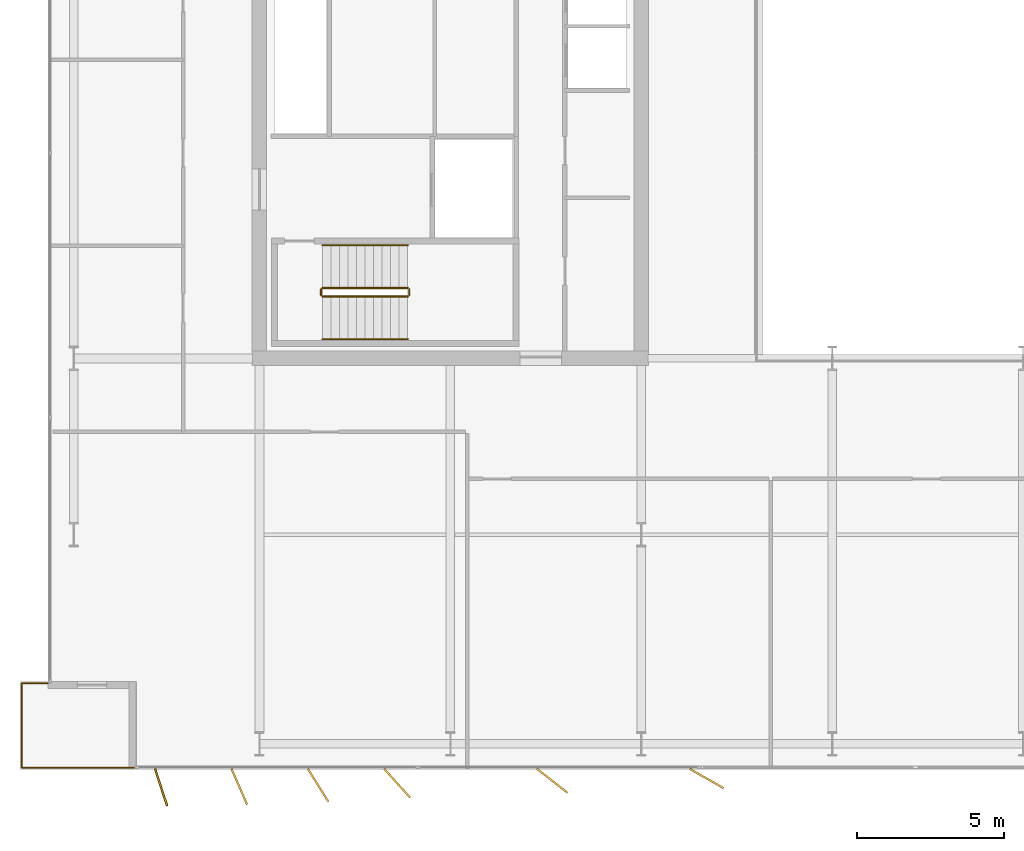
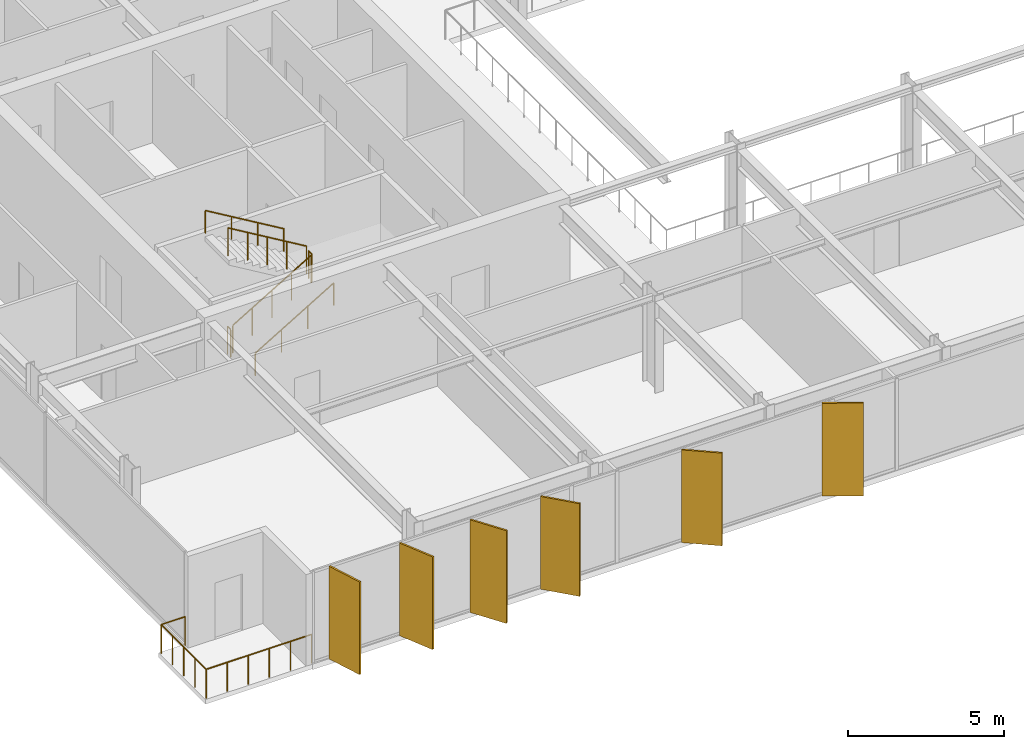
# One storey, part 20 of 23: 7 railings, 6 shading devices.
"""IFC4 building model written with IfcOpenShell, lengths in metres."""

from ifc_helpers import new_model, si_unit, direction, frame, origin, origin_2d, place, context, subcontext, project, spatial, rectangle, circle, extrude, material, layer, layer_set, type_object, element, save


model = new_model("IFC4")

# Units and contexts
model_context = context("Model", 3, precision=1e-05, world=origin(), true_north=direction((0.0, 1.0)))
body_context = subcontext(model_context, "Body", "Model", "MODEL_VIEW")
ifc_project = project(units=[si_unit("LENGTHUNIT", "METRE"), si_unit("AREAUNIT", "SQUARE_METRE"), si_unit("VOLUMEUNIT", "CUBIC_METRE"), si_unit("PLANEANGLEUNIT", "RADIAN"), si_unit("MASSUNIT", "GRAM", prefix="KILO")], contexts=[model_context])

# Site, building, storey
site_placement = place(None, origin())
site = spatial("IfcSite", under=ifc_project, at=site_placement, CompositionType="ELEMENT")
building_placement = place(site_placement, origin())
building = spatial("IfcBuilding", under=site, at=building_placement, Name="Putna Gate Headquarters", CompositionType="ELEMENT")
storey_placement = place(building_placement, frame((0.0, 0.0, 232.800048828125)))
storey = spatial("IfcBuildingStorey", under=building, at=storey_placement, Name="L58", CompositionType="ELEMENT", Elevation=232.800048828125)

# Railings
ifc_material_1 = material(Name="Powder-coated steel stair guardrail", Category="steel")
railing_type_1 = type_object("IfcRailingType", Name="RAIL-STAIR-GUARD-1100", PredefinedType="GUARDRAIL", material=ifc_material_1)
railing_1_placement = place(storey_placement, frame((15.14990234375, 21.10009765625, 0.172607421875)))
element("IfcRailing", 1, at=railing_1_placement, inside=storey, type_object=railing_type_1, Name="L58 ST1 stair guard 1", PredefinedType="GUARDRAIL", context=body_context, shape_type="SweptSolid", body=[
    extrude(circle(Radius=0.02392578125, at=origin_2d()), frame((0.0, 0.0, 1.076171875), z_axis=(0.859160404282, 0.0, 0.51170636083), x_axis=(0.0, 1.0, 0.0)), (0.0, 0.0, 1.0), 3.37548828125),
    extrude(circle(Radius=0.02099609375, at=origin_2d()), origin(), (0.0, 0.0, 1.0), 1.052001953125),
    extrude(circle(Radius=0.02099609375, at=origin_2d()), frame((0.72509765625, 0.0, 0.431884765625)), (0.0, 0.0, 1.0), 1.052001953125),
    extrude(circle(Radius=0.02099609375, at=origin_2d()), frame((1.4501953125, 0.0, 0.86376953125)), (0.0, 0.0, 1.0), 1.052001953125),
    extrude(circle(Radius=0.02099609375, at=origin_2d()), frame((2.175048828125, 0.0, 1.29541015625)), (0.0, 0.0, 1.0), 1.052001953125),
    extrude(circle(Radius=0.02099609375, at=origin_2d()), frame((2.900146484375, 0.0, 1.727294921875)), (0.0, 0.0, 1.0), 1.052001953125),
])
railing_2_placement = place(storey_placement, frame((18.10009765625, 21.14990234375, 1.89990234375)))
element("IfcRailing", 2, at=railing_2_placement, inside=storey, type_object=railing_type_1, Name="L58 ST1 stair guard 2", PredefinedType="GUARDRAIL", context=body_context, shape_type="SweptSolid", body=[
    extrude(circle(Radius=0.02392578125, at=origin_2d()), frame((0.0, 0.0, 1.076171875), z_axis=(0.0, 1.0, 0.0), x_axis=(-1.0, 0.0, 0.0)), (0.0, 0.0, 1.0), 0.2001953125),
    extrude(circle(Radius=0.02099609375, at=origin_2d()), origin(), (0.0, 0.0, 1.0), 1.052001953125),
    extrude(circle(Radius=0.02099609375, at=origin_2d()), frame((0.0, 0.2001953125, 0.0)), (0.0, 0.0, 1.0), 1.052001953125),
])
railing_3_placement = place(storey_placement, frame((18.050048828125, 21.39990234375, 2.07275390625)))
element("IfcRailing", 3, at=railing_3_placement, inside=storey, type_object=railing_type_1, Name="L58 ST1 stair guard 3", PredefinedType="GUARDRAIL", context=body_context, shape_type="SweptSolid", body=[
    extrude(circle(Radius=0.02392578125, at=origin_2d()), frame((0.0, 0.0, 1.076171875), z_axis=(-0.859160404282, 0.0, 0.51170636083), x_axis=(0.0, -1.0, 0.0)), (0.0, 0.0, 1.0), 3.37548828125),
    extrude(circle(Radius=0.02099609375, at=origin_2d()), origin(), (0.0, 0.0, 1.0), 1.052001953125),
    extrude(circle(Radius=0.02099609375, at=origin_2d()), frame((-0.72509765625, 0.0, 0.431884765625)), (0.0, 0.0, 1.0), 1.052001953125),
    extrude(circle(Radius=0.02099609375, at=origin_2d()), frame((-1.4501953125, 0.0, 0.86376953125)), (0.0, 0.0, 1.0), 1.052001953125),
    extrude(circle(Radius=0.02099609375, at=origin_2d()), frame((-2.175048828125, 0.0, 1.29541015625)), (0.0, 0.0, 1.0), 1.052001953125),
    extrude(circle(Radius=0.02099609375, at=origin_2d()), frame((-2.900146484375, 0.0, 1.727294921875)), (0.0, 0.0, 1.0), 1.052001953125),
])
railing_4_placement = place(storey_placement, frame((15.10009765625, 21.14990234375, 0.0)))
element("IfcRailing", 4, at=railing_4_placement, inside=storey, type_object=railing_type_1, Name="L58 ST1 stair guard 4", PredefinedType="GUARDRAIL", context=body_context, shape_type="SweptSolid", body=[
    extrude(circle(Radius=0.02392578125, at=origin_2d()), frame((0.0, 0.0, 1.076171875), z_axis=(0.0, 1.0, 0.0), x_axis=(-1.0, 0.0, 0.0)), (0.0, 0.0, 1.0), 0.2001953125),
    extrude(circle(Radius=0.02099609375, at=origin_2d()), origin(), (0.0, 0.0, 1.0), 1.052001953125),
    extrude(circle(Radius=0.02099609375, at=origin_2d()), frame((0.0, 0.2001953125, 0.0)), (0.0, 0.0, 1.0), 1.052001953125),
])
ifc_material_2 = material(Name="Brushed stainless steel handrail", Category="steel")
railing_type_2 = type_object("IfcRailingType", Name="RAIL-STAIR-HAND-900", PredefinedType="HANDRAIL", material=ifc_material_2)
railing_5_placement = place(storey_placement, frame((15.14990234375, 19.64990234375, 0.172607421875)))
element("IfcRailing", 5, at=railing_5_placement, inside=storey, type_object=railing_type_2, Name="L58 ST1 stair handrail 1", PredefinedType="HANDRAIL", context=body_context, shape_type="SweptSolid", body=[
    extrude(circle(Radius=0.02392578125, at=origin_2d()), frame((0.0, 0.0, 0.8759765625), z_axis=(0.859160404282, 0.0, 0.51170636083), x_axis=(0.0, 1.0, 0.0)), (0.0, 0.0, 1.0), 3.37548828125),
    extrude(circle(Radius=0.02099609375, at=origin_2d()), origin(), (0.0, 0.0, 1.0), 0.851806640625),
    extrude(circle(Radius=0.02099609375, at=origin_2d()), frame((0.966796875, 0.0, 0.57568359375)), (0.0, 0.0, 1.0), 0.851806640625),
    extrude(circle(Radius=0.02099609375, at=origin_2d()), frame((1.933349609375, 0.0, 1.151611328125)), (0.0, 0.0, 1.0), 0.851806640625),
    extrude(circle(Radius=0.02099609375, at=origin_2d()), frame((2.900146484375, 0.0, 1.727294921875)), (0.0, 0.0, 1.0), 0.851806640625),
])
railing_6_placement = place(storey_placement, frame((18.050048828125, 22.85009765625, 2.07275390625)))
element("IfcRailing", 6, at=railing_6_placement, inside=storey, type_object=railing_type_2, Name="L58 ST1 stair handrail 2", PredefinedType="HANDRAIL", context=body_context, shape_type="SweptSolid", body=[
    extrude(circle(Radius=0.02392578125, at=origin_2d()), frame((0.0, 0.0, 0.8759765625), z_axis=(-0.859160404282, 0.0, 0.51170636083), x_axis=(0.0, -1.0, 0.0)), (0.0, 0.0, 1.0), 3.37548828125),
    extrude(circle(Radius=0.02099609375, at=origin_2d()), origin(), (0.0, 0.0, 1.0), 0.851806640625),
    extrude(circle(Radius=0.02099609375, at=origin_2d()), frame((-0.966796875, 0.0, 0.57568359375)), (0.0, 0.0, 1.0), 0.851806640625),
    extrude(circle(Radius=0.02099609375, at=origin_2d()), frame((-1.933349609375, 0.0, 1.151611328125)), (0.0, 0.0, 1.0), 0.851806640625),
    extrude(circle(Radius=0.02099609375, at=origin_2d()), frame((-2.900146484375, 0.0, 1.727294921875)), (0.0, 0.0, 1.0), 0.851806640625),
])
ifc_material_3 = material(Name="Anodised bronze steel and laminated glass guardrail", Category="steel")
railing_type_3 = type_object("IfcRailingType", Name="RAIL-TERR-GUARD-1150", PredefinedType="GUARDRAIL", material=ifc_material_3)
railing_7_placement = place(storey_placement, frame((8.800048828125, 5.06005859375, 0.0)))
element("IfcRailing", 7, at=railing_7_placement, inside=storey, type_object=railing_type_3, Name="L58 Spiral Sky Terrace Guardrail SW", PredefinedType="GUARDRAIL", context=body_context, shape_type="SweptSolid", body=[
    extrude(circle(Radius=0.02392578125, at=origin_2d()), frame((0.0, 0.0, 1.1259765625), z_axis=(-1.0, 0.0, 0.0), x_axis=(0.0, -1.0, 0.0)), (0.0, 0.0, 1.0), 3.89013671875),
    extrude(circle(Radius=0.02392578125, at=origin_2d()), frame((-3.89013671875, 0.0, 1.1259765625), z_axis=(0.0, 1.0, 0.0), x_axis=(-1.0, 0.0, 0.0)), (0.0, 0.0, 1.0), 2.8798828125),
    extrude(circle(Radius=0.02392578125, at=origin_2d()), frame((-3.89013671875, 2.8798828125, 1.1259765625), z_axis=(1.0, 0.0, 0.0), x_axis=(0.0, 1.0, 0.0)), (0.0, 0.0, 1.0), 0.89013671875),
    extrude(circle(Radius=0.02099609375, at=origin_2d()), origin(), (0.0, 0.0, 1.0), 1.101806640625),
    extrude(circle(Radius=0.02099609375, at=origin_2d()), frame((-0.778076171875, 0.0, 0.0)), (0.0, 0.0, 1.0), 1.101806640625),
    extrude(circle(Radius=0.02099609375, at=origin_2d()), frame((-1.55615234375, 0.0, 0.0)), (0.0, 0.0, 1.0), 1.101806640625),
    extrude(circle(Radius=0.02099609375, at=origin_2d()), frame((-2.333984375, 0.0, 0.0)), (0.0, 0.0, 1.0), 1.101806640625),
    extrude(circle(Radius=0.02099609375, at=origin_2d()), frame((-3.112060546875, 0.0, 0.0)), (0.0, 0.0, 1.0), 1.101806640625),
    extrude(circle(Radius=0.02099609375, at=origin_2d()), frame((-3.89013671875, 0.0, 0.0)), (0.0, 0.0, 1.0), 1.101806640625),
    extrude(circle(Radius=0.02099609375, at=origin_2d()), frame((-3.89013671875, 0.719970703125, 0.0)), (0.0, 0.0, 1.0), 1.101806640625),
    extrude(circle(Radius=0.02099609375, at=origin_2d()), frame((-3.89013671875, 1.43994140625, 0.0)), (0.0, 0.0, 1.0), 1.101806640625),
    extrude(circle(Radius=0.02099609375, at=origin_2d()), frame((-3.89013671875, 2.159912109375, 0.0)), (0.0, 0.0, 1.0), 1.101806640625),
    extrude(circle(Radius=0.02099609375, at=origin_2d()), frame((-3.89013671875, 2.8798828125, 0.0)), (0.0, 0.0, 1.0), 1.101806640625),
    extrude(circle(Radius=0.02099609375, at=origin_2d()), frame((-3.0, 2.8798828125, 0.0)), (0.0, 0.0, 1.0), 1.101806640625),
])

# Shading devices
ifc_material_4 = material(Name="Anodised architectural bronze aluminium fin", Category="aluminium")
ifc_layer = layer(ifc_material_4, 0.06494140625)
ifc_layer_set = layer_set([ifc_layer], Name="Anodised architectural bronze aluminium fin")
shading_device_type = type_object("IfcShadingDeviceType", Name="SHADE-BRONZE-FIN-1320", PredefinedType="USERDEFINED", material=ifc_layer_set)
for number, where, z_axis, x_axis, name in (
    (8, (9.65380859375, 4.397216796875, -0.02001953125), (0.0, 0.0, 1.0), (0.308684994204, -0.951164325631, 0.0), "L58 Bronze Vertical Shading Fin S1"),
    (9, (12.314453125, 4.42041015625, -0.02001953125), (0.0, 0.0, 1.0), (0.400668879095, -0.916222925562, 0.0), "L58 Bronze Vertical Shading Fin S2"),
    (10, (15.000244140625, 4.465576171875, -0.02001953125), (0.0, 0.0, 1.0), (0.530659123936, -0.847585331506, 0.0), "L58 Bronze Vertical Shading Fin S3"),
    (11, (17.691650390625, 4.534423828125, -0.02001953125), (0.0, 0.0, 1.0), (0.669130606359, -0.743144825477, 0.0), "L58 Bronze Vertical Shading Fin S4"),
    (12, (22.9697265625, 4.6181640625, -0.02001953125), (0.0, 0.0, 1.0), (0.787473187632, -0.616348909921, 0.0), "L58 Bronze Vertical Shading Fin S5"),
    (13, (28.223876953125, 4.69873046875, -0.02001953125), (0.0, 0.0, 1.0), (0.869322458298, -0.494245347472, 0.0), "L58 Bronze Vertical Shading Fin S6"),
):
    element("IfcShadingDevice", number, at=place(storey_placement, frame(where, z_axis=z_axis, x_axis=x_axis)), inside=storey, type_object=shading_device_type, Name=name, ObjectType="FIN", PredefinedType="USERDEFINED", context=body_context, shape_type="SweptSolid", body=[
        extrude(rectangle(XDim=1.320068359375, YDim=0.06494140625, at=origin_2d()), origin(), (0.0, 0.0, 1.0), 3.6201171875),
    ])

save(model, "model.ifc")
